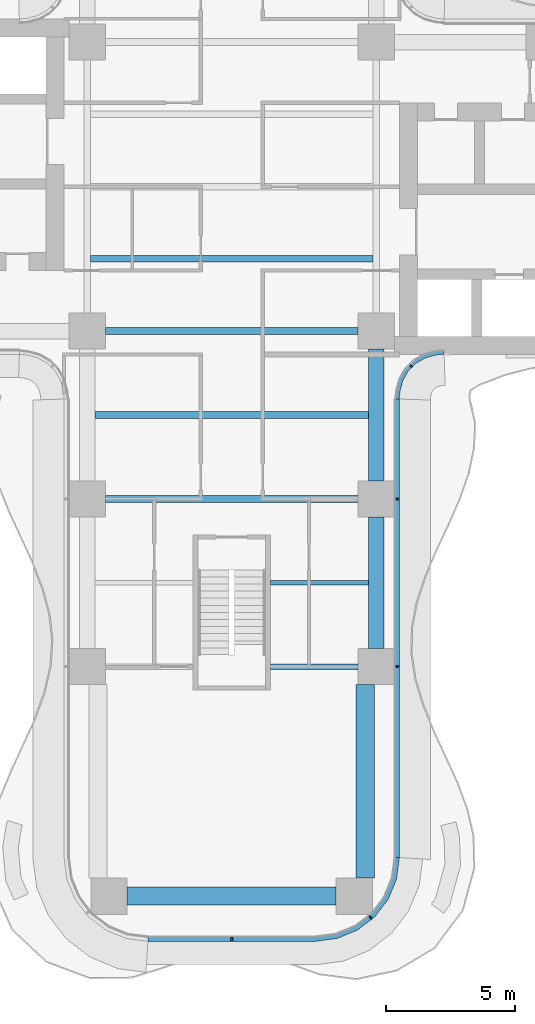
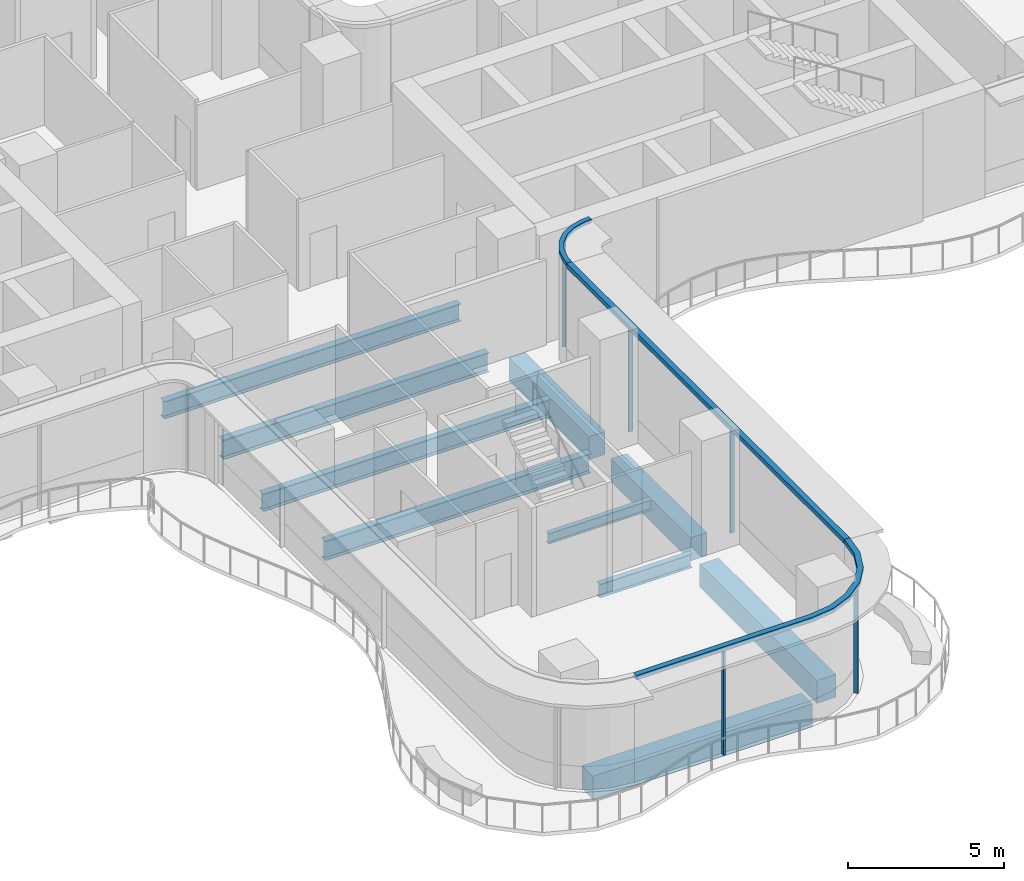
# One storey, part 5 of 22: 10 beams, 8 members, 3 elements without a shape of their own.
"""IFC4 building model written with IfcOpenShell, lengths in metres."""

from ifc_helpers import new_model, si_unit, direction, frame, origin, origin_2d, place, context, subcontext, project, spatial, polyline, rectangle, i_section, outline, extrude, source, transform, mapped, material, layer, layer_set, material_profile, profile_set, type_object, element, aggregate, save


model = new_model("IFC4")

# Units and contexts
model_context = context("Model", 3, precision=1e-05, world=origin(), true_north=direction((0.0, 1.0)))
body_context = subcontext(model_context, "Body", "Model", "MODEL_VIEW")
ifc_project = project(units=[si_unit("LENGTHUNIT", "METRE"), si_unit("AREAUNIT", "SQUARE_METRE"), si_unit("VOLUMEUNIT", "CUBIC_METRE"), si_unit("PLANEANGLEUNIT", "RADIAN"), si_unit("MASSUNIT", "GRAM", prefix="KILO")], contexts=[model_context])

# Site, building, storey
site_placement = place(None, origin())
site = spatial("IfcSite", under=ifc_project, at=site_placement, CompositionType="ELEMENT")
building_placement = place(site_placement, origin())
building = spatial("IfcBuilding", under=site, at=building_placement, Name="Trellis Farm Tower", CompositionType="ELEMENT")
storey_placement = place(building_placement, frame((0.0, 0.0, 43.0)))
storey = spatial("IfcBuildingStorey", under=building, at=storey_placement, Name="L08", CompositionType="ELEMENT", Elevation=43.0)

# Beams
ifc_material_1 = material(Name="Steel S355", Category="steel")
ifc_material_profile_1 = material_profile(ifc_material_1, i_section(OverallWidth=0.253662109375, OverallDepth=0.68359375, WebThickness=0.012451171875, FlangeThickness=0.021728515625, FilletRadius=0.01513671875, at=origin_2d()), Name="UB 686x254x140")
ifc_profile_set_1 = profile_set([ifc_material_profile_1], Name="Steel S355")
beam_type_1 = type_object("IfcBeamType", Name="UB 686x254x140 joist", PredefinedType="JOIST", material=ifc_profile_set_1)
shared_shape_1 = source(origin(), body_context, "Body", "SweptSolid", [
    extrude(i_section(OverallWidth=0.253662109375, OverallDepth=0.68359375, WebThickness=0.012451171875, FlangeThickness=0.021728515625, FilletRadius=0.01513671875, at=origin_2d()), origin(), (0.0, 0.0, 1.0), 10.93310546875),
])
beam_1_placement = place(storey_placement, frame((-5.466552734375, -2.800048828125, -0.591796875), z_axis=(1.0, 0.0, 0.0), x_axis=(0.0, 1.0, 0.0)))
element("IfcBeam", 1, at=beam_1_placement, inside=storey, type_object=beam_type_1, Name="Floor beam", PredefinedType="JOIST", context=body_context, shape_type="MappedRepresentation", body=[
    mapped(shared_shape_1, transform((0.0, 0.0, 0.0))),
])
ifc_material_profile_2 = material_profile(ifc_material_1, i_section(OverallWidth=0.209228515625, OverallDepth=0.533203125, WebThickness=0.010009765625, FlangeThickness=0.015625, FilletRadius=0.0126953125, at=origin_2d()), Name="UB 533x210x92")
ifc_profile_set_2 = profile_set([ifc_material_profile_2], Name="Steel S355")
beam_type_2 = type_object("IfcBeamType", Name="UB 533x210x92", PredefinedType="BEAM", material=ifc_profile_set_2)
shared_shape_2 = source(origin(), body_context, "Body", "SweptSolid", [
    extrude(i_section(OverallWidth=0.209228515625, OverallDepth=0.533203125, WebThickness=0.010009765625, FlangeThickness=0.015625, FilletRadius=0.0126953125, at=origin_2d()), origin(), (0.0, 0.0, 1.0), 3.39990234375),
])
beam_2_placement = place(storey_placement, frame((1.5, -18.60009765625, -0.5166015625), z_axis=(1.0, 0.0, 0.0), x_axis=(0.0, 1.0, 0.0)))
element("IfcBeam", 2, at=beam_2_placement, inside=storey, type_object=beam_type_2, Name="Girder", PredefinedType="BEAM", context=body_context, shape_type="MappedRepresentation", body=[
    mapped(shared_shape_2, transform((0.0, 0.0, 0.0))),
])
ifc_material_2 = material(Name="Concrete C60/75", Category="concrete")
ifc_material_profile_3 = material_profile(ifc_material_2, rectangle(XDim=0.60009765625, YDim=0.89990234375, at=origin_2d()), Name="RC spandrel beam 600x900 C60/75")
ifc_profile_set_3 = profile_set([ifc_material_profile_3], Name="Concrete C60/75")
beam_type_3 = type_object("IfcBeamType", Name="RC spandrel beam 600x900 C60/75", PredefinedType="SPANDREL", material=ifc_profile_set_3)
shared_shape_3 = source(origin(), body_context, "Body", "SweptSolid", [
    extrude(rectangle(XDim=0.60009765625, YDim=0.89990234375, at=origin_2d()), origin(), (0.0, 0.0, 1.0), 5.099853515625),
])
for number, where, z_axis, x_axis, name in (
    (3, (5.60009765625, -17.89990234375, -0.699951171875), (0.0, 1.0, 0.0), (-1.0, 0.0, 0.0), "Girder"),
    (4, (5.60009765625, -11.39990234375, -0.699951171875), (0.0, 1.0, 0.0), (-1.0, 0.0, 0.0), "Girder"),
):
    element("IfcBeam", number, at=place(storey_placement, frame(where, z_axis=z_axis, x_axis=x_axis)), inside=storey, type_object=beam_type_3, Name=name, PredefinedType="SPANDREL", context=body_context, shape_type="MappedRepresentation", body=[
        mapped(shared_shape_3, transform((0.0, 0.0, 0.0))),
    ])
ifc_material_profile_4 = material_profile(ifc_material_1, i_section(OverallWidth=0.2666015625, OverallDepth=0.76220703125, WebThickness=0.014404296875, FlangeThickness=0.021484375, FilletRadius=0.0166015625, at=origin_2d()), Name="UB 762x267x173")
ifc_profile_set_4 = profile_set([ifc_material_profile_4], Name="Steel S355")
beam_type_4 = type_object("IfcBeamType", Name="UB 762x267x173", PredefinedType="BEAM", material=ifc_profile_set_4)
shared_shape_4 = source(origin(), body_context, "Body", "SweptSolid", [
    extrude(i_section(OverallWidth=0.2666015625, OverallDepth=0.76220703125, WebThickness=0.014404296875, FlangeThickness=0.021484375, FilletRadius=0.0166015625, at=origin_2d()), origin(), (0.0, 0.0, 1.0), 9.7998046875),
])
for number, where, z_axis, x_axis, name in (
    (5, (-4.89990234375, -12.10009765625, -0.631103515625), (1.0, 0.0, 0.0), (0.0, 1.0, 0.0), "Girder"),
    (6, (-4.89990234375, -5.60009765625, -0.631103515625), (1.0, 0.0, 0.0), (0.0, 1.0, 0.0), "Girder"),
):
    element("IfcBeam", number, at=place(storey_placement, frame(where, z_axis=z_axis, x_axis=x_axis)), inside=storey, type_object=beam_type_4, Name=name, PredefinedType="BEAM", context=body_context, shape_type="MappedRepresentation", body=[
        mapped(shared_shape_4, transform((0.0, 0.0, 0.0))),
    ])
ifc_material_profile_5 = material_profile(ifc_material_2, rectangle(XDim=0.699951171875, YDim=0.89990234375, at=origin_2d()), Name="RC spandrel beam 700x900 C60/75")
ifc_profile_set_5 = profile_set([ifc_material_profile_5], Name="Concrete C60/75")
beam_type_5 = type_object("IfcBeamType", Name="RC spandrel beam 700x900 C60/75", PredefinedType="SPANDREL", material=ifc_profile_set_5)
shared_shape_5 = source(origin(), body_context, "Body", "SweptSolid", [
    extrude(rectangle(XDim=0.699951171875, YDim=0.89990234375, at=origin_2d()), origin(), (0.0, 0.0, 1.0), 8.10009765625),
])
beam_3_placement = place(storey_placement, frame((-4.050048828125, -27.5, -0.699951171875), z_axis=(1.0, 0.0, 0.0), x_axis=(0.0, 1.0, 0.0)))
element("IfcBeam", 7, at=beam_3_placement, inside=storey, type_object=beam_type_5, Name="Girder", PredefinedType="SPANDREL", context=body_context, shape_type="MappedRepresentation", body=[
    mapped(shared_shape_5, transform((0.0, 0.0, 0.0))),
])
shared_shape_6 = source(origin(), body_context, "Body", "SweptSolid", [
    extrude(rectangle(XDim=0.699951171875, YDim=0.89990234375, at=origin_2d()), origin(), (0.0, 0.0, 1.0), 7.5),
])
beam_4_placement = place(storey_placement, frame((5.175048828125, -26.800048828125, -0.699951171875), z_axis=(0.0, 1.0, 0.0), x_axis=(-1.0, 0.0, 0.0)))
element("IfcBeam", 8, at=beam_4_placement, inside=storey, type_object=beam_type_5, Name="Girder", PredefinedType="SPANDREL", context=body_context, shape_type="MappedRepresentation", body=[
    mapped(shared_shape_6, transform((0.0, 0.0, 0.0))),
])
ifc_material_profile_6 = material_profile(ifc_material_1, i_section(OverallWidth=0.177978515625, OverallDepth=0.406494140625, WebThickness=0.0078125, FlangeThickness=0.0126953125, FilletRadius=0.01025390625, at=origin_2d()), Name="UB 406x178x60")
ifc_profile_set_6 = profile_set([ifc_material_profile_6], Name="Steel S355")
beam_type_6 = type_object("IfcBeamType", Name="UB 406x178x60 joist", PredefinedType="JOIST", material=ifc_profile_set_6)
shared_shape_7 = source(origin(), body_context, "Body", "SweptSolid", [
    extrude(i_section(OverallWidth=0.177978515625, OverallDepth=0.406494140625, WebThickness=0.0078125, FlangeThickness=0.0126953125, FilletRadius=0.01025390625, at=origin_2d()), origin(), (0.0, 0.0, 1.0), 3.800048828125),
])
beam_5_placement = place(storey_placement, frame((1.5, -15.35009765625, -0.453125), z_axis=(1.0, 0.0, 0.0), x_axis=(0.0, 1.0, 0.0)))
element("IfcBeam", 9, at=beam_5_placement, inside=storey, type_object=beam_type_6, Name="Floor beam", PredefinedType="JOIST", context=body_context, shape_type="MappedRepresentation", body=[
    mapped(shared_shape_7, transform((0.0, 0.0, 0.0))),
])
shared_shape_8 = source(origin(), body_context, "Body", "SweptSolid", [
    extrude(i_section(OverallWidth=0.253662109375, OverallDepth=0.68359375, WebThickness=0.012451171875, FlangeThickness=0.021728515625, FilletRadius=0.01513671875, at=origin_2d()), origin(), (0.0, 0.0, 1.0), 10.60009765625),
])
beam_6_placement = place(storey_placement, frame((-5.300048828125, -8.85009765625, -0.591796875), z_axis=(1.0, 0.0, 0.0), x_axis=(0.0, 1.0, 0.0)))
element("IfcBeam", 10, at=beam_6_placement, inside=storey, type_object=beam_type_1, Name="Floor beam", PredefinedType="JOIST", context=body_context, shape_type="MappedRepresentation", body=[
    mapped(shared_shape_8, transform((0.0, 0.0, 0.0))),
])

# Curtain wall, members
ifc_material_3 = material(Name="Aluminium and glass curtain wall", Category="aluminium")
ifc_layer_1 = layer(ifc_material_3, 0.18994140625)
ifc_layer_set_1 = layer_set([ifc_layer_1], Name="RIBBON CURTAIN WALL CW1")
curtain_wall_type_1 = type_object("IfcCurtainWallType", Name="RIBBON CURTAIN WALL CW1", PredefinedType="NOTDEFINED", material=ifc_layer_set_1)
placement_1 = place(storey_placement, origin())
curtain_wall_1 = element("IfcCurtainWall", 11, at=placement_1, inside=storey, type_object=curtain_wall_type_1, Name="CW1 003", PredefinedType="NOTDEFINED")
ifc_material_4 = material(Name="Aluminium extrusion 6063-T6", Category="aluminium")
ifc_material_profile_7 = material_profile(ifc_material_4, rectangle(XDim=0.06005859375, YDim=0.14990234375, at=origin_2d()), Name="MULLION 60x150")
ifc_profile_set_7 = profile_set([ifc_material_profile_7], Name="Aluminium extrusion 6063-T6")
member_type_1 = type_object("IfcMemberType", Name="CW1 MULLION 60x150", PredefinedType="MULLION", material=ifc_profile_set_7)
shared_shape_9 = source(origin(), body_context, "Body", "SweptSolid", [
    extrude(rectangle(XDim=0.06005859375, YDim=0.14990234375, at=origin_2d()), origin(), (0.0, 0.0, 1.0), 4.070068359375),
])
member_1_placement = place(storey_placement, frame((0.0, -29.175048828125, 0.0), z_axis=(0.0, 0.0, 1.0), x_axis=(1.0, 0.0, 0.0)))
member_1 = element("IfcMember", 12, at=member_1_placement, type_object=member_type_1, Name="MU1 003-01", PredefinedType="MULLION", context=body_context, shape_type="MappedRepresentation", body=[
    mapped(shared_shape_9, transform((0.0, 0.0, 0.0))),
])
member_2_placement = place(storey_placement, frame((5.385498046875, -28.328369140625, 0.0), z_axis=(0.0, 0.0, 1.0), x_axis=(0.793353340291, 0.608761429009, 0.0)))
member_2 = element("IfcMember", 13, at=member_2_placement, type_object=member_type_1, Name="MU1 003-02", PredefinedType="MULLION", context=body_context, shape_type="MappedRepresentation", body=[
    mapped(shared_shape_9, transform((0.0, 0.0, 0.0))),
])

curtain_wall_2 = element("IfcCurtainWall", 14, at=placement_1, inside=storey, type_object=curtain_wall_type_1, Name="CW1 004", PredefinedType="NOTDEFINED")
member_3_placement = place(storey_placement, frame((6.425048828125, -18.60009765625, 0.0), z_axis=(0.0, 0.0, 1.0), x_axis=(0.0, 1.0, 0.0)))
member_3 = element("IfcMember", 15, at=member_3_placement, type_object=member_type_1, Name="MU1 004-01", PredefinedType="MULLION", context=body_context, shape_type="MappedRepresentation", body=[
    mapped(shared_shape_9, transform((0.0, 0.0, 0.0))),
])
member_4_placement = place(storey_placement, frame((6.425048828125, -12.10009765625, 0.0), z_axis=(0.0, 0.0, 1.0), x_axis=(0.0, 1.0, 0.0)))
member_4 = element("IfcMember", 16, at=member_4_placement, type_object=member_type_1, Name="MU1 004-02", PredefinedType="MULLION", context=body_context, shape_type="MappedRepresentation", body=[
    mapped(shared_shape_9, transform((0.0, 0.0, 0.0))),
])

# Curtain wall, member
ifc_layer_2 = layer(ifc_material_3, 0.166015625)
ifc_layer_set_2 = layer_set([ifc_layer_2], Name="WINTER GARDEN CURTAIN WALL CW3")
curtain_wall_type_2 = type_object("IfcCurtainWallType", Name="WINTER GARDEN CURTAIN WALL CW3", PredefinedType="NOTDEFINED", material=ifc_layer_set_2)
curtain_wall_3 = element("IfcCurtainWall", 17, at=placement_1, inside=storey, type_object=curtain_wall_type_2, Name="CW3 002", PredefinedType="NOTDEFINED")
ifc_material_profile_8 = material_profile(ifc_material_4, rectangle(XDim=0.050048828125, YDim=0.1201171875, at=origin_2d()), Name="MULLION 50x120")
ifc_profile_set_8 = profile_set([ifc_material_profile_8], Name="Aluminium extrusion 6063-T6")
member_type_2 = type_object("IfcMemberType", Name="CW3 MULLION 50x120", PredefinedType="MULLION", material=ifc_profile_set_8)
shared_shape_10 = source(origin(), body_context, "Body", "SweptSolid", [
    extrude(rectangle(XDim=0.050048828125, YDim=0.1201171875, at=origin_2d()), origin(), (0.0, 0.0, 1.0), 4.10009765625),
])
member_5_placement = place(storey_placement, frame((6.953125, -6.953125, 0.0), z_axis=(0.0, 0.0, 1.0), x_axis=(0.707106781187, 0.707106781187, 0.0)))
member_5 = element("IfcMember", 18, at=member_5_placement, type_object=member_type_2, Name="MU3 002-01", PredefinedType="MULLION", context=body_context, shape_type="MappedRepresentation", body=[
    mapped(shared_shape_10, transform((0.0, 0.0, 0.0))),
])

# Member
ifc_layer_3 = layer(ifc_material_4, 0.199951171875)
ifc_layer_set_3 = layer_set([ifc_layer_3], Name="Aluminium extrusion 6063-T6")
member_type_3 = type_object("IfcMemberType", Name="CW1 TRANSOM 200x180", PredefinedType="USERDEFINED", material=ifc_layer_set_3)
shared_shape_11 = source(origin(), body_context, "Body", "SweptSolid", [
    extrude(outline(polyline([(-3.25, -29.25), (3.25, -29.25), (4.091064453125, -29.13916015625), (4.875, -28.814697265625), (5.548095703125, -28.298095703125), (6.064697265625, -27.625), (6.38916015625, -26.841064453125), (6.5, -26.0), (6.300048828125, -25.98681640625), (6.1943359375, -26.7890625), (5.889892578125, -27.524169921875), (5.405517578125, -28.155517578125), (4.774169921875, -28.639892578125), (4.0390625, -28.9443359375), (3.23681640625, -29.050048828125), (-3.23681640625, -29.050048828125), (-3.25, -29.25)])), origin(), (0.0, 0.0, 1.0), 0.179931640625),
])
placement_2 = place(storey_placement, frame((0.0, 0.0, 4.070068359375)))
member_6 = element("IfcMember", 19, at=placement_2, type_object=member_type_3, Name="TR1 003", ObjectType="TRANSOM", PredefinedType="USERDEFINED", context=body_context, shape_type="MappedRepresentation", body=[
    mapped(shared_shape_11, transform((0.0, 0.0, 0.0))),
])

aggregate(curtain_wall_1, [member_1, member_2, member_6])

shared_shape_12 = source(origin(), body_context, "Body", "SweptSolid", [
    extrude(outline(polyline([(6.5, -26.0), (6.5, -8.2314453125), (6.300048828125, -8.224853515625), (6.300048828125, -25.98681640625), (6.5, -26.0)])), origin(), (0.0, 0.0, 1.0), 0.179931640625),
])
member_7 = element("IfcMember", 20, at=placement_2, type_object=member_type_3, Name="TR1 004", ObjectType="TRANSOM", PredefinedType="USERDEFINED", context=body_context, shape_type="MappedRepresentation", body=[
    mapped(shared_shape_12, transform((0.0, 0.0, 0.0))),
])

aggregate(curtain_wall_2, [member_3, member_4, member_7])

ifc_layer_4 = layer(ifc_material_4, 0.169921875)
ifc_layer_set_4 = layer_set([ifc_layer_4], Name="Aluminium extrusion 6063-T6")
member_type_4 = type_object("IfcMemberType", Name="CW3 TRANSOM 170x150", PredefinedType="USERDEFINED", material=ifc_layer_set_4)
shared_shape_13 = source(origin(), body_context, "Body", "SweptSolid", [
    extrude(outline(polyline([(6.5, -8.2314453125), (6.513916015625, -8.01953125), (6.527587890625, -7.91552734375), (6.63671875, -7.508544921875), (6.846923828125, -7.144287109375), (7.144287109375, -6.846923828125), (7.508544921875, -6.63671875), (7.91552734375, -6.527587890625), (8.01953125, -6.513916015625), (8.2314453125, -6.5), (8.225830078125, -6.330078125), (8.0029296875, -6.3447265625), (7.88232421875, -6.360595703125), (7.44287109375, -6.478271484375), (7.0400390625, -6.7109375), (6.7109375, -7.0400390625), (6.478271484375, -7.44287109375), (6.360595703125, -7.88232421875), (6.3447265625, -8.0029296875), (6.330078125, -8.225830078125), (6.5, -8.2314453125)])), origin(), (0.0, 0.0, 1.0), 0.14990234375),
])
member_8_placement = place(storey_placement, frame((0.0, 0.0, 4.10009765625)))
member_8 = element("IfcMember", 21, at=member_8_placement, type_object=member_type_4, Name="TR3 002", ObjectType="TRANSOM", PredefinedType="USERDEFINED", context=body_context, shape_type="MappedRepresentation", body=[
    mapped(shared_shape_13, transform((0.0, 0.0, 0.0))),
])

aggregate(curtain_wall_3, [member_5, member_8])

save(model, "model.ifc")
